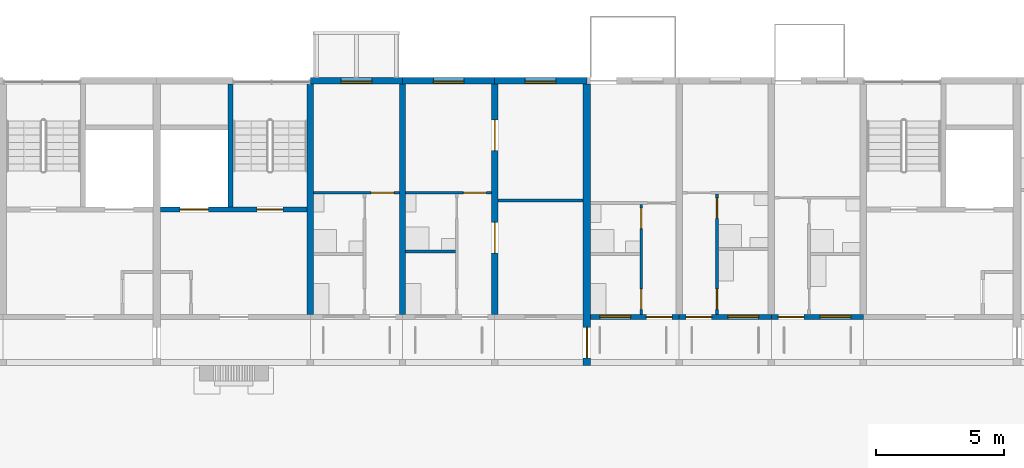
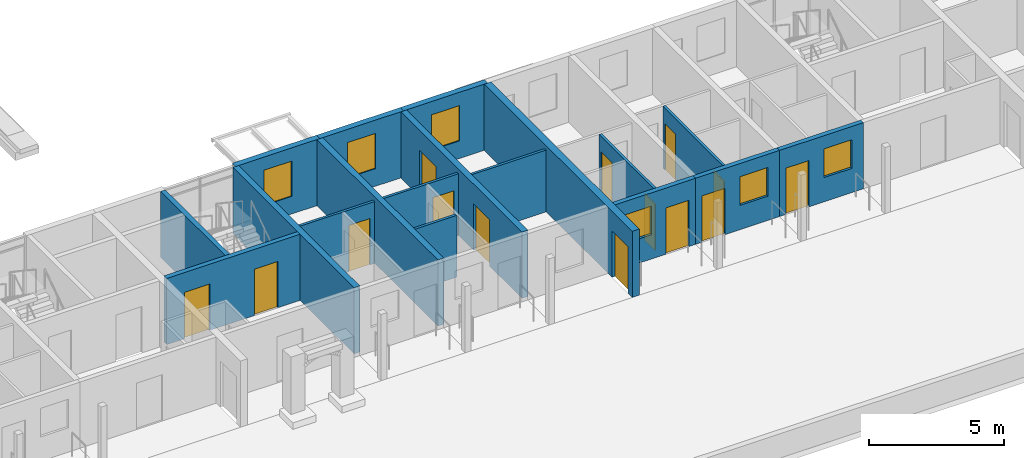
# One storey, part 43 of 115: 18 walls, 14 doors, 6 windows, 20 openings.
"""IFC4 building model written with IfcOpenShell, lengths in metres."""

from ifc_helpers import new_model, si_unit, direction, frame, frame_2d, origin, place, context, subcontext, project, spatial, rectangle, extrude, material, layer, layer_set, type_object, element, fill, save


model = new_model("IFC4")

# Units and contexts
model_context = context("Model", 3, precision=1e-05, world=origin(), true_north=direction((0.0, 1.0)))
body_context = subcontext(model_context, "Body", "Model", "MODEL_VIEW")
ifc_project = project(units=[si_unit("LENGTHUNIT", "METRE"), si_unit("AREAUNIT", "SQUARE_METRE"), si_unit("VOLUMEUNIT", "CUBIC_METRE"), si_unit("PLANEANGLEUNIT", "RADIAN"), si_unit("MASSUNIT", "GRAM", prefix="KILO")], contexts=[model_context])

# Site, building, storey
site_placement = place(None, origin())
site = spatial("IfcSite", under=ifc_project, at=site_placement, CompositionType="ELEMENT")
building_placement = place(site_placement, origin())
building = spatial("IfcBuilding", under=site, at=building_placement, Name="Ridgestep Commons", CompositionType="ELEMENT")
storey_placement = place(building_placement, frame((0.0, 0.0, 6.0)))
storey = spatial("IfcBuildingStorey", under=building, at=storey_placement, Name="L02", CompositionType="ELEMENT", Elevation=6.0)

# Wall
ifc_material_1 = material(Name="Concrete C30/37", Category="concrete")
ifc_layer_1 = layer(ifc_material_1, 0.25)
ifc_layer_set_1 = layer_set([ifc_layer_1], Name="Core cross wall 250")
wall_type_1 = type_object("IfcWallType", Name="Core cross wall 250", PredefinedType="SHEAR", material=ifc_layer_set_1)
wall_1_placement = place(storey_placement, frame((51.60009765625, 13.75, 0.0), z_axis=(0.0, 0.0, 1.0), x_axis=(0.0, 1.0, 0.0)))
element("IfcWall", 1, at=wall_1_placement, inside=storey, type_object=wall_type_1, Name="Cross wall A-02-0516", PredefinedType="SHEAR", context=body_context, shape_type="SweptSolid", body=[
    extrude(rectangle(XDim=9.0, YDim=0.25, at=frame_2d((4.5, 0.0))), origin(), (0.0, 0.0, 1.0), 3.0),
])

# Wall, openings, doors
ifc_material_2 = material(Name="Concrete C30/37", Category="concrete")
ifc_layer_2 = layer(ifc_material_2, 0.199951171875)
ifc_layer_set_2 = layer_set([ifc_layer_2], Name="Core wall 200")
wall_type_2 = type_object("IfcWallType", Name="Core wall 200", PredefinedType="SHEAR", material=ifc_layer_set_2)
wall_2_placement = place(storey_placement, frame((45.75, 17.85009765625, 0.0), z_axis=(0.0, 0.0, 1.0), x_axis=(1.0, 0.0, 0.0)))
wall_2 = element("IfcWall", 2, at=wall_2_placement, inside=storey, type_object=wall_type_2, Name="Core lobby wall A3C L02", PredefinedType="SHEAR", context=body_context, shape_type="SweptSolid", body=[
    extrude(rectangle(XDim=5.72509765625, YDim=0.199951171875, at=frame_2d((2.862548828125, 0.0))), origin(), (0.0, 0.0, 1.0), 3.0),
])
opening_1_placement = place(wall_2_placement, frame((3.77490234375, 0.0, 0.0)))
opening_1 = element("IfcOpeningElement", 3, at=opening_1_placement, cuts=wall_2, Name="Opening A3C/02/2", PredefinedType="OPENING", context=body_context, shape_type="SweptSolid", body=[
    extrude(rectangle(XDim=1.0, YDim=2.10009765625, at=frame_2d((0.5, 1.050048828125))), frame((0.0, 0.10986328125, 0.0), z_axis=(0.0, -1.0, 0.0), x_axis=(1.0, 0.0, 0.0)), (0.0, 0.0, 1.0), 0.219970703125),
])
opening_2_placement = place(wall_2_placement, frame((0.762451171875, 0.0, 0.0)))
opening_2 = element("IfcOpeningElement", 4, at=opening_2_placement, cuts=wall_2, Name="Opening A3C/02/3", PredefinedType="OPENING", context=body_context, shape_type="SweptSolid", body=[
    extrude(rectangle(XDim=1.10009765625, YDim=2.10009765625, at=frame_2d((0.550048828125, 1.050048828125))), frame((0.0, 0.10986328125, 0.0), z_axis=(0.0, -1.0, 0.0), x_axis=(1.0, 0.0, 0.0)), (0.0, 0.0, 1.0), 0.219970703125),
])
ifc_material_3 = material(Name="Stainless steel", Category="steel")
door_type_1 = type_object("IfcDoorType", Name="Lift landing door 1100 x 2100 FD60", OperationType="DOUBLE_DOOR_SLIDING", PredefinedType="DOOR", material=ifc_material_3)
door_1_placement = place(opening_2_placement, origin())
door_1 = element("IfcDoor", 5, at=door_1_placement, inside=storey, type_object=door_type_1, Name="Landing door LD A3C L02", OperationType="DOUBLE_DOOR_SLIDING", OverallHeight=2.10009765625, OverallWidth=1.10009765625, PredefinedType="DOOR", context=body_context, shape_type="SweptSolid", body=[
    extrude(rectangle(XDim=1.10009765625, YDim=2.10009765625, at=frame_2d((0.550048828125, 1.050048828125))), frame((0.0, 0.02490234375, 0.0), z_axis=(0.0, -1.0, 0.0), x_axis=(1.0, 0.0, 0.0)), (0.0, 0.0, 1.0), 0.050048828125),
])
fill(opening_2, door_1)
ifc_material_4 = material(Name="Steel fire door", Category="steel")
door_type_2 = type_object("IfcDoorType", Name="Stair door 1000 x 2100 FD60", OperationType="NOTDEFINED", PredefinedType="DOOR", material=ifc_material_4)
door_2_placement = place(opening_1_placement, origin())
door_2 = element("IfcDoor", 6, at=door_2_placement, inside=storey, type_object=door_type_2, Name="Stair door A3C/02/2", OperationType="SINGLE_SWING_RIGHT", OverallHeight=2.10009765625, OverallWidth=1.0, PredefinedType="DOOR", context=body_context, shape_type="SweptSolid", body=[
    extrude(rectangle(XDim=1.0, YDim=2.10009765625, at=frame_2d((0.5, 1.050048828125))), frame((0.0, 0.02490234375, 0.0), z_axis=(0.0, -1.0, 0.0), x_axis=(1.0, 0.0, 0.0)), (0.0, 0.0, 1.0), 0.050048828125),
])
fill(opening_1, door_2)

# Walls
wall_3_placement = place(storey_placement, frame((48.47509765625, 17.949951171875, 0.0), z_axis=(0.0, 0.0, 1.0), x_axis=(0.0, 1.0, 0.0)))
element("IfcWall", 7, at=wall_3_placement, inside=storey, type_object=wall_type_2, Name="Core stair wall A3C L02", PredefinedType="SHEAR", context=body_context, shape_type="SweptSolid", body=[
    extrude(rectangle(XDim=4.800048828125, YDim=0.199951171875, at=frame_2d((2.39990234375, 0.0))), origin(), (0.0, 0.0, 1.0), 3.0),
])
ifc_material_5 = material(Name="Precast concrete C40/50", Category="concrete")
ifc_layer_3 = layer(ifc_material_5, 0.25)
ifc_layer_set_3 = layer_set([ifc_layer_3], Name="Cross wall 250")
wall_type_3 = type_object("IfcWallType", Name="Cross wall 250", PredefinedType="SHEAR", material=ifc_layer_set_3)
wall_4_placement = place(storey_placement, frame((55.199951171875, 13.75, 0.0), z_axis=(0.0, 0.0, 1.0), x_axis=(0.0, 1.0, 0.0)))
element("IfcWall", 8, at=wall_4_placement, inside=storey, type_object=wall_type_3, Name="Cross wall A-02-0552", PredefinedType="SHEAR", context=body_context, shape_type="SweptSolid", body=[
    extrude(rectangle(XDim=9.0, YDim=0.25, at=frame_2d((4.5, 0.0))), origin(), (0.0, 0.0, 1.0), 3.0),
])

# Wall, openings, doors
wall_5_placement = place(storey_placement, frame((58.800048828125, 13.75, 0.0), z_axis=(0.0, 0.0, 1.0), x_axis=(0.0, 1.0, 0.0)))
wall_5 = element("IfcWall", 9, at=wall_5_placement, inside=storey, type_object=wall_type_3, Name="Cross wall A-02-0588", PredefinedType="SHEAR", context=body_context, shape_type="SweptSolid", body=[
    extrude(rectangle(XDim=9.0, YDim=0.25, at=frame_2d((4.5, 0.0))), origin(), (0.0, 0.0, 1.0), 3.0),
])
opening_3_placement = place(wall_5_placement, frame((2.39990234375, 0.0, 0.0)))
opening_3 = element("IfcOpeningElement", 10, at=opening_3_placement, cuts=wall_5, Name="Opening A3-02a/5", PredefinedType="OPENING", context=body_context, shape_type="SweptSolid", body=[
    extrude(rectangle(XDim=1.199951171875, YDim=2.10009765625, at=frame_2d((0.60009765625, 1.050048828125))), frame((0.0, 0.135009765625, 0.0), z_axis=(0.0, -1.0, 0.0), x_axis=(1.0, 0.0, 0.0)), (0.0, 0.0, 1.0), 0.27001953125),
])
opening_4_placement = place(wall_5_placement, frame((6.39990234375, 0.0, 0.0)))
opening_4 = element("IfcOpeningElement", 11, at=opening_4_placement, cuts=wall_5, Name="Opening A3-02a/6", PredefinedType="OPENING", context=body_context, shape_type="SweptSolid", body=[
    extrude(rectangle(XDim=1.199951171875, YDim=2.10009765625, at=frame_2d((0.60009765625, 1.050048828125))), frame((0.0, 0.135009765625, 0.0), z_axis=(0.0, -1.0, 0.0), x_axis=(1.0, 0.0, 0.0)), (0.0, 0.0, 1.0), 0.27001953125),
])
ifc_material_6 = material(Name="Timber door leaf", Category="wood")
door_type_3 = type_object("IfcDoorType", Name="Double door 1200 x 2100", OperationType="DOUBLE_DOOR_SINGLE_SWING", PredefinedType="DOOR", material=ifc_material_6)
door_3_placement = place(opening_3_placement, origin())
door_3 = element("IfcDoor", 12, at=door_3_placement, inside=storey, type_object=door_type_3, Name="Double door A3-02a/5", OperationType="DOUBLE_DOOR_SINGLE_SWING", OverallHeight=2.10009765625, OverallWidth=1.199951171875, PredefinedType="DOOR", context=body_context, shape_type="SweptSolid", body=[
    extrude(rectangle(XDim=1.199951171875, YDim=2.10009765625, at=frame_2d((0.60009765625, 1.050048828125))), frame((0.0, 0.02490234375, 0.0), z_axis=(0.0, -1.0, 0.0), x_axis=(1.0, 0.0, 0.0)), (0.0, 0.0, 1.0), 0.050048828125),
])
fill(opening_3, door_3)
door_4_placement = place(opening_4_placement, origin())
door_4 = element("IfcDoor", 13, at=door_4_placement, inside=storey, type_object=door_type_3, Name="Double door A3-02a/6", OperationType="DOUBLE_DOOR_SINGLE_SWING", OverallHeight=2.10009765625, OverallWidth=1.199951171875, PredefinedType="DOOR", context=body_context, shape_type="SweptSolid", body=[
    extrude(rectangle(XDim=1.199951171875, YDim=2.10009765625, at=frame_2d((0.60009765625, 1.050048828125))), frame((0.0, 0.02490234375, 0.0), z_axis=(0.0, -1.0, 0.0), x_axis=(1.0, 0.0, 0.0)), (0.0, 0.0, 1.0), 0.050048828125),
])
fill(opening_4, door_4)

# Wall, opening, door
ifc_material_7 = material(Name="Precast concrete C40/50", Category="concrete")
ifc_layer_4 = layer(ifc_material_7, 0.300048828125)
ifc_layer_set_4 = layer_set([ifc_layer_4], Name="Division wall 300")
wall_type_4 = type_object("IfcWallType", Name="Division wall 300", PredefinedType="SHEAR", material=ifc_layer_set_4)
wall_6_placement = place(storey_placement, frame((62.39990234375, 11.75, 0.0), z_axis=(0.0, 0.0, 1.0), x_axis=(0.0, 1.0, 0.0)))
wall_6 = element("IfcWall", 14, at=wall_6_placement, inside=storey, type_object=wall_type_4, Name="Cross wall A-02-0624", PredefinedType="SHEAR", context=body_context, shape_type="SweptSolid", body=[
    extrude(rectangle(XDim=11.0, YDim=0.300048828125, at=frame_2d((5.5, 0.0))), origin(), (0.0, 0.0, 1.0), 3.0),
])
opening_5_placement = place(wall_6_placement, frame((0.300048828125, 0.0, 0.0)))
opening_5 = element("IfcOpeningElement", 15, at=opening_5_placement, cuts=wall_6, Name="Opening A/02/G0624", PredefinedType="OPENING", context=body_context, shape_type="SweptSolid", body=[
    extrude(rectangle(XDim=1.199951171875, YDim=2.10009765625, at=frame_2d((0.60009765625, 1.050048828125))), frame((0.0, 0.159912109375, 0.0), z_axis=(0.0, -1.0, 0.0), x_axis=(1.0, 0.0, 0.0)), (0.0, 0.0, 1.0), 0.320068359375),
])
ifc_material_8 = material(Name="Steel fire door", Category="steel")
door_type_4 = type_object("IfcDoorType", Name="Division fire door 1200 x 2100 EI 240", OperationType="DOUBLE_DOOR_SINGLE_SWING", PredefinedType="DOOR", material=ifc_material_8)
door_5_placement = place(opening_5_placement, origin())
door_5 = element("IfcDoor", 16, at=door_5_placement, inside=storey, type_object=door_type_4, Name="Division fire door A/02/G0624", OperationType="DOUBLE_DOOR_SINGLE_SWING", OverallHeight=2.10009765625, OverallWidth=1.199951171875, PredefinedType="DOOR", context=body_context, shape_type="SweptSolid", body=[
    extrude(rectangle(XDim=1.199951171875, YDim=2.10009765625, at=frame_2d((0.60009765625, 1.050048828125))), frame((0.0, 0.02490234375, 0.0), z_axis=(0.0, -1.0, 0.0), x_axis=(1.0, 0.0, 0.0)), (0.0, 0.0, 1.0), 0.050048828125),
])
fill(opening_5, door_5)

# Wall, opening, window
ifc_material_9 = material(Name="Precast concrete C40/50", Category="concrete")
ifc_layer_5 = layer(ifc_material_9, 0.25)
ifc_layer_set_5 = layer_set([ifc_layer_5], Name="North facade panel 250")
wall_type_5 = type_object("IfcWallType", Name="North facade panel 250", PredefinedType="SOLIDWALL", material=ifc_layer_set_5)
wall_7_placement = place(storey_placement, frame((51.60009765625, 22.875, 0.0), z_axis=(0.0, 0.0, 1.0), x_axis=(1.0, 0.0, 0.0)))
wall_7 = element("IfcWall", 17, at=wall_7_placement, inside=storey, type_object=wall_type_5, Name="North panel A3T3 L02", PredefinedType="SOLIDWALL", context=body_context, shape_type="SweptSolid", body=[
    extrude(rectangle(XDim=3.599853515625, YDim=0.25, at=frame_2d((1.7998046875, 0.0))), origin(), (0.0, 0.0, 1.0), 3.0),
])
opening_6_placement = place(wall_7_placement, frame((1.199951171875, 0.0, 0.800048828125)))
opening_6 = element("IfcOpeningElement", 18, at=opening_6_placement, cuts=wall_7, Name="Opening W11", PredefinedType="OPENING", context=body_context, shape_type="SweptSolid", body=[
    extrude(rectangle(XDim=1.199951171875, YDim=1.60009765625, at=frame_2d((0.60009765625, 0.800048828125))), frame((0.0, 0.135009765625, 0.0), z_axis=(0.0, -1.0, 0.0), x_axis=(1.0, 0.0, 0.0)), (0.0, 0.0, 1.0), 0.27001953125),
])
ifc_material_10 = material(Name="Aluminium 6063-T6 and glass", Category="aluminium")
window_type_1 = type_object("IfcWindowType", Name="Flat window 1200 x 1600", PartitioningType="SINGLE_PANEL", PredefinedType="WINDOW", material=ifc_material_10)
window_1_placement = place(opening_6_placement, origin())
window_1 = element("IfcWindow", 19, at=window_1_placement, inside=storey, type_object=window_type_1, Name="Window A3-02b 2", OverallHeight=1.60009765625, OverallWidth=1.199951171875, PartitioningType="SINGLE_PANEL", PredefinedType="WINDOW", context=body_context, shape_type="SweptSolid", body=[
    extrude(rectangle(XDim=1.199951171875, YDim=1.60009765625, at=frame_2d((0.60009765625, 0.800048828125))), frame((0.0, -0.02490234375, 0.0), z_axis=(0.0, -1.0, 0.0), x_axis=(1.0, 0.0, 0.0)), (0.0, 0.0, 1.0), 0.06005859375),
])
fill(opening_6, window_1)

wall_8_placement = place(storey_placement, frame((55.199951171875, 22.875, 0.0), z_axis=(0.0, 0.0, 1.0), x_axis=(1.0, 0.0, 0.0)))
wall_8 = element("IfcWall", 20, at=wall_8_placement, inside=storey, type_object=wall_type_5, Name="North panel A3T2 L02", PredefinedType="SOLIDWALL", context=body_context, shape_type="SweptSolid", body=[
    extrude(rectangle(XDim=3.60009765625, YDim=0.25, at=frame_2d((1.800048828125, 0.0))), origin(), (0.0, 0.0, 1.0), 3.0),
])
opening_7_placement = place(wall_8_placement, frame((1.199951171875, 0.0, 0.800048828125)))
opening_7 = element("IfcOpeningElement", 21, at=opening_7_placement, cuts=wall_8, Name="Opening W11", PredefinedType="OPENING", context=body_context, shape_type="SweptSolid", body=[
    extrude(rectangle(XDim=1.199951171875, YDim=1.60009765625, at=frame_2d((0.60009765625, 0.800048828125))), frame((0.0, 0.135009765625, 0.0), z_axis=(0.0, -1.0, 0.0), x_axis=(1.0, 0.0, 0.0)), (0.0, 0.0, 1.0), 0.27001953125),
])
window_2_placement = place(opening_7_placement, origin())
window_2 = element("IfcWindow", 22, at=window_2_placement, inside=storey, type_object=window_type_1, Name="Window A3-02a 4", OverallHeight=1.60009765625, OverallWidth=1.199951171875, PartitioningType="SINGLE_PANEL", PredefinedType="WINDOW", context=body_context, shape_type="SweptSolid", body=[
    extrude(rectangle(XDim=1.199951171875, YDim=1.60009765625, at=frame_2d((0.60009765625, 0.800048828125))), frame((0.0, -0.02490234375, 0.0), z_axis=(0.0, -1.0, 0.0), x_axis=(1.0, 0.0, 0.0)), (0.0, 0.0, 1.0), 0.06005859375),
])
fill(opening_7, window_2)

wall_9_placement = place(storey_placement, frame((58.800048828125, 22.875, 0.0), z_axis=(0.0, 0.0, 1.0), x_axis=(1.0, 0.0, 0.0)))
wall_9 = element("IfcWall", 23, at=wall_9_placement, inside=storey, type_object=wall_type_5, Name="North panel A3T1 L02", PredefinedType="SOLIDWALL", context=body_context, shape_type="SweptSolid", body=[
    extrude(rectangle(XDim=3.599853515625, YDim=0.25, at=frame_2d((1.7998046875, 0.0))), origin(), (0.0, 0.0, 1.0), 3.0),
])
opening_8_placement = place(wall_9_placement, frame((1.1875, 0.0, 0.800048828125)))
opening_8 = element("IfcOpeningElement", 24, at=opening_8_placement, cuts=wall_9, Name="Opening W11", PredefinedType="OPENING", context=body_context, shape_type="SweptSolid", body=[
    extrude(rectangle(XDim=1.199951171875, YDim=1.60009765625, at=frame_2d((0.60009765625, 0.800048828125))), frame((0.0, 0.135009765625, 0.0), z_axis=(0.0, -1.0, 0.0), x_axis=(1.0, 0.0, 0.0)), (0.0, 0.0, 1.0), 0.27001953125),
])
window_3_placement = place(opening_8_placement, origin())
window_3 = element("IfcWindow", 25, at=window_3_placement, inside=storey, type_object=window_type_1, Name="Window A3-02a 2", OverallHeight=1.60009765625, OverallWidth=1.199951171875, PartitioningType="SINGLE_PANEL", PredefinedType="WINDOW", context=body_context, shape_type="SweptSolid", body=[
    extrude(rectangle(XDim=1.199951171875, YDim=1.60009765625, at=frame_2d((0.60009765625, 0.800048828125))), frame((0.0, -0.02490234375, 0.0), z_axis=(0.0, -1.0, 0.0), x_axis=(1.0, 0.0, 0.0)), (0.0, 0.0, 1.0), 0.06005859375),
])
fill(opening_8, window_3)

# Wall
ifc_material_11 = material(Name="Common brick 110 mm", Category="masonry")
ifc_layer_6 = layer(ifc_material_11, 0.110107421875)
ifc_layer_set_6 = layer_set([ifc_layer_6], Name="Partition 110")
wall_type_6 = type_object("IfcWallType", Name="Partition 110", PredefinedType="PARTITIONING", material=ifc_layer_set_6)
wall_10_placement = place(storey_placement, frame((55.324951171875, 16.205078125, 0.0), z_axis=(0.0, 0.0, 1.0), x_axis=(1.0, 0.0, 0.0)))
element("IfcWall", 26, at=wall_10_placement, inside=storey, type_object=wall_type_6, Name="Partition A3-02a", PredefinedType="PARTITIONING", context=body_context, shape_type="SweptSolid", body=[
    extrude(rectangle(XDim=1.93994140625, YDim=0.110107421875, at=frame_2d((0.969970703125, 0.0))), origin(), (0.0, 0.0, 1.0), 2.800048828125),
])

# Wall, opening, door
wall_11_placement = place(storey_placement, frame((55.324951171875, 18.5048828125, 0.0), z_axis=(0.0, 0.0, 1.0), x_axis=(1.0, 0.0, 0.0)))
wall_11 = element("IfcWall", 27, at=wall_11_placement, inside=storey, type_object=wall_type_6, Name="Partition A3-02a", PredefinedType="PARTITIONING", context=body_context, shape_type="SweptSolid", body=[
    extrude(rectangle(XDim=3.35009765625, YDim=0.110107421875, at=frame_2d((1.675048828125, 0.0))), origin(), (0.0, 0.0, 1.0), 2.800048828125),
])
opening_9_placement = place(wall_11_placement, frame((2.25, 0.0, 0.0)))
opening_9 = element("IfcOpeningElement", 28, at=opening_9_placement, cuts=wall_11, Name="Opening A3-02a/4", PredefinedType="OPENING", context=body_context, shape_type="SweptSolid", body=[
    extrude(rectangle(XDim=0.89990234375, YDim=2.10009765625, at=frame_2d((0.449951171875, 1.050048828125))), frame((0.0, 0.06494140625, 0.0), z_axis=(0.0, -1.0, 0.0), x_axis=(1.0, 0.0, 0.0)), (0.0, 0.0, 1.0), 0.130126953125),
])
ifc_material_12 = material(Name="Timber door leaf", Category="wood")
door_type_5 = type_object("IfcDoorType", Name="Internal door 900 x 2100", OperationType="NOTDEFINED", PredefinedType="DOOR", material=ifc_material_12)
door_6_placement = place(opening_9_placement, origin())
door_6 = element("IfcDoor", 29, at=door_6_placement, inside=storey, type_object=door_type_5, Name="Internal door A3-02a/4", OperationType="SINGLE_SWING_LEFT", OverallHeight=2.10009765625, OverallWidth=0.89990234375, PredefinedType="DOOR", context=body_context, shape_type="SweptSolid", body=[
    extrude(rectangle(XDim=0.89990234375, YDim=2.10009765625, at=frame_2d((0.449951171875, 1.050048828125))), frame((0.0, 0.02490234375, 0.0), z_axis=(0.0, -1.0, 0.0), x_axis=(1.0, 0.0, 0.0)), (0.0, 0.0, 1.0), 0.050048828125),
])
fill(opening_9, door_6)

# Wall
wall_12_placement = place(storey_placement, frame((58.925048828125, 18.205078125, 0.0), z_axis=(0.0, 0.0, 1.0), x_axis=(1.0, 0.0, 0.0)))
element("IfcWall", 30, at=wall_12_placement, inside=storey, type_object=wall_type_6, Name="Partition A3-02a", PredefinedType="PARTITIONING", context=body_context, shape_type="SweptSolid", body=[
    extrude(rectangle(XDim=3.324951171875, YDim=0.110107421875, at=frame_2d((1.66259765625, 0.0))), origin(), (0.0, 0.0, 1.0), 2.800048828125),
])

# Wall, opening, door
wall_13_placement = place(storey_placement, frame((51.72509765625, 18.5048828125, 0.0), z_axis=(0.0, 0.0, 1.0), x_axis=(1.0, 0.0, 0.0)))
wall_13 = element("IfcWall", 31, at=wall_13_placement, inside=storey, type_object=wall_type_6, Name="Partition A3-02b", PredefinedType="PARTITIONING", context=body_context, shape_type="SweptSolid", body=[
    extrude(rectangle(XDim=3.349853515625, YDim=0.110107421875, at=frame_2d((1.6748046875, 0.0))), origin(), (0.0, 0.0, 1.0), 2.800048828125),
])
opening_10_placement = place(wall_13_placement, frame((2.25, 0.0, 0.0)))
opening_10 = element("IfcOpeningElement", 32, at=opening_10_placement, cuts=wall_13, Name="Opening A3-02b/4", PredefinedType="OPENING", context=body_context, shape_type="SweptSolid", body=[
    extrude(rectangle(XDim=0.89990234375, YDim=2.10009765625, at=frame_2d((0.449951171875, 1.050048828125))), frame((0.0, 0.06494140625, 0.0), z_axis=(0.0, -1.0, 0.0), x_axis=(1.0, 0.0, 0.0)), (0.0, 0.0, 1.0), 0.130126953125),
])
door_7_placement = place(opening_10_placement, origin())
door_7 = element("IfcDoor", 33, at=door_7_placement, inside=storey, type_object=door_type_5, Name="Internal door A3-02b/4", OperationType="SINGLE_SWING_LEFT", OverallHeight=2.10009765625, OverallWidth=0.89990234375, PredefinedType="DOOR", context=body_context, shape_type="SweptSolid", body=[
    extrude(rectangle(XDim=0.89990234375, YDim=2.10009765625, at=frame_2d((0.449951171875, 1.050048828125))), frame((0.0, 0.02490234375, 0.0), z_axis=(0.0, -1.0, 0.0), x_axis=(1.0, 0.0, 0.0)), (0.0, 0.0, 1.0), 0.050048828125),
])
fill(opening_10, door_7)

# Wall, openings, doors
wall_14_placement = place(storey_placement, frame((64.52001953125, 13.75, 0.0), z_axis=(0.0, 0.0, 1.0), x_axis=(0.0, 1.0, 0.0)))
wall_14 = element("IfcWall", 34, at=wall_14_placement, inside=storey, type_object=wall_type_6, Name="Partition A4-02a", PredefinedType="PARTITIONING", context=body_context, shape_type="SweptSolid", body=[
    extrude(rectangle(XDim=4.300048828125, YDim=0.110107421875, at=frame_2d((2.14990234375, 0.0))), origin(), (0.0, 0.0, 1.0), 2.800048828125),
])
opening_11_placement = place(wall_14_placement, frame((0.199951171875, 0.0, 0.0)))
opening_11 = element("IfcOpeningElement", 35, at=opening_11_placement, cuts=wall_14, Name="Opening A4-02a/2", PredefinedType="OPENING", context=body_context, shape_type="SweptSolid", body=[
    extrude(rectangle(XDim=0.800048828125, YDim=2.10009765625, at=frame_2d((0.39990234375, 1.050048828125))), frame((0.0, 0.06494140625, 0.0), z_axis=(0.0, -1.0, 0.0), x_axis=(1.0, 0.0, 0.0)), (0.0, 0.0, 1.0), 0.130126953125),
])
opening_12_placement = place(wall_14_placement, frame((3.35009765625, 0.0, 0.0)))
opening_12 = element("IfcOpeningElement", 36, at=opening_12_placement, cuts=wall_14, Name="Opening A4-02a/3", PredefinedType="OPENING", context=body_context, shape_type="SweptSolid", body=[
    extrude(rectangle(XDim=0.800048828125, YDim=2.10009765625, at=frame_2d((0.39990234375, 1.050048828125))), frame((0.0, 0.06494140625, 0.0), z_axis=(0.0, -1.0, 0.0), x_axis=(1.0, 0.0, 0.0)), (0.0, 0.0, 1.0), 0.130126953125),
])
ifc_material_13 = material(Name="Timber door leaf", Category="wood")
door_type_6 = type_object("IfcDoorType", Name="Internal door 800 x 2100", OperationType="NOTDEFINED", PredefinedType="DOOR", material=ifc_material_13)
door_8_placement = place(opening_11_placement, origin())
door_8 = element("IfcDoor", 37, at=door_8_placement, inside=storey, type_object=door_type_6, Name="Internal door A4-02a/2", OperationType="SINGLE_SWING_LEFT", OverallHeight=2.10009765625, OverallWidth=0.800048828125, PredefinedType="DOOR", context=body_context, shape_type="SweptSolid", body=[
    extrude(rectangle(XDim=0.800048828125, YDim=2.10009765625, at=frame_2d((0.39990234375, 1.050048828125))), frame((0.0, 0.02490234375, 0.0), z_axis=(0.0, -1.0, 0.0), x_axis=(1.0, 0.0, 0.0)), (0.0, 0.0, 1.0), 0.050048828125),
])
fill(opening_11, door_8)
door_9_placement = place(opening_12_placement, origin())
door_9 = element("IfcDoor", 38, at=door_9_placement, inside=storey, type_object=door_type_6, Name="Internal door A4-02a/3", OperationType="SINGLE_SWING_RIGHT", OverallHeight=2.10009765625, OverallWidth=0.800048828125, PredefinedType="DOOR", context=body_context, shape_type="SweptSolid", body=[
    extrude(rectangle(XDim=0.800048828125, YDim=2.10009765625, at=frame_2d((0.39990234375, 1.050048828125))), frame((0.0, 0.02490234375, 0.0), z_axis=(0.0, -1.0, 0.0), x_axis=(1.0, 0.0, 0.0)), (0.0, 0.0, 1.0), 0.050048828125),
])
fill(opening_12, door_9)

wall_15_placement = place(storey_placement, frame((67.47998046875, 13.75, 0.0), z_axis=(0.0, 0.0, 1.0), x_axis=(0.0, 1.0, 0.0)))
wall_15 = element("IfcWall", 39, at=wall_15_placement, inside=storey, type_object=wall_type_6, Name="Partition A4-02b", PredefinedType="PARTITIONING", context=body_context, shape_type="SweptSolid", body=[
    extrude(rectangle(XDim=4.699951171875, YDim=0.110107421875, at=frame_2d((2.35009765625, 0.0))), origin(), (0.0, 0.0, 1.0), 2.800048828125),
])
opening_13_placement = place(wall_15_placement, frame((0.199951171875, 0.0, 0.0)))
opening_13 = element("IfcOpeningElement", 40, at=opening_13_placement, cuts=wall_15, Name="Opening A4-02b/2", PredefinedType="OPENING", context=body_context, shape_type="SweptSolid", body=[
    extrude(rectangle(XDim=0.800048828125, YDim=2.10009765625, at=frame_2d((0.39990234375, 1.050048828125))), frame((0.0, 0.06494140625, 0.0), z_axis=(0.0, -1.0, 0.0), x_axis=(1.0, 0.0, 0.0)), (0.0, 0.0, 1.0), 0.130126953125),
])
opening_14_placement = place(wall_15_placement, frame((3.75, 0.0, 0.0)))
opening_14 = element("IfcOpeningElement", 41, at=opening_14_placement, cuts=wall_15, Name="Opening A4-02b/3", PredefinedType="OPENING", context=body_context, shape_type="SweptSolid", body=[
    extrude(rectangle(XDim=0.800048828125, YDim=2.10009765625, at=frame_2d((0.39990234375, 1.050048828125))), frame((0.0, 0.06494140625, 0.0), z_axis=(0.0, -1.0, 0.0), x_axis=(1.0, 0.0, 0.0)), (0.0, 0.0, 1.0), 0.130126953125),
])
door_10_placement = place(opening_13_placement, origin())
door_10 = element("IfcDoor", 42, at=door_10_placement, inside=storey, type_object=door_type_6, Name="Internal door A4-02b/2", OperationType="SINGLE_SWING_RIGHT", OverallHeight=2.10009765625, OverallWidth=0.800048828125, PredefinedType="DOOR", context=body_context, shape_type="SweptSolid", body=[
    extrude(rectangle(XDim=0.800048828125, YDim=2.10009765625, at=frame_2d((0.39990234375, 1.050048828125))), frame((0.0, 0.02490234375, 0.0), z_axis=(0.0, -1.0, 0.0), x_axis=(1.0, 0.0, 0.0)), (0.0, 0.0, 1.0), 0.050048828125),
])
fill(opening_13, door_10)
door_11_placement = place(opening_14_placement, origin())
door_11 = element("IfcDoor", 43, at=door_11_placement, inside=storey, type_object=door_type_6, Name="Internal door A4-02b/3", OperationType="SINGLE_SWING_LEFT", OverallHeight=2.10009765625, OverallWidth=0.800048828125, PredefinedType="DOOR", context=body_context, shape_type="SweptSolid", body=[
    extrude(rectangle(XDim=0.800048828125, YDim=2.10009765625, at=frame_2d((0.39990234375, 1.050048828125))), frame((0.0, 0.02490234375, 0.0), z_axis=(0.0, -1.0, 0.0), x_axis=(1.0, 0.0, 0.0)), (0.0, 0.0, 1.0), 0.050048828125),
])
fill(opening_14, door_11)

# Wall, openings, door, window
ifc_material_14 = material(Name="Precast concrete C40/50", Category="concrete")
ifc_layer_7 = layer(ifc_material_14, 0.199951171875)
ifc_layer_set_7 = layer_set([ifc_layer_7], Name="South facade panel 200")
wall_type_7 = type_object("IfcWallType", Name="South facade panel 200", PredefinedType="SOLIDWALL", material=ifc_layer_set_7)
wall_16_placement = place(storey_placement, frame((62.550048828125, 13.64990234375, 0.0), z_axis=(0.0, 0.0, 1.0), x_axis=(1.0, 0.0, 0.0)))
wall_16 = element("IfcWall", 44, at=wall_16_placement, inside=storey, type_object=wall_type_7, Name="South panel A4T1 L02", PredefinedType="SOLIDWALL", context=body_context, shape_type="SweptSolid", body=[
    extrude(rectangle(XDim=3.449951171875, YDim=0.199951171875, at=frame_2d((1.72509765625, 0.0))), origin(), (0.0, 0.0, 1.0), 3.0),
])
opening_15_placement = place(wall_16_placement, frame((0.357421875, 0.0, 1.10009765625)))
opening_15 = element("IfcOpeningElement", 45, at=opening_15_placement, cuts=wall_16, Name="Opening W08", PredefinedType="OPENING", context=body_context, shape_type="SweptSolid", body=[
    extrude(rectangle(XDim=1.199951171875, YDim=1.300048828125, at=frame_2d((0.60009765625, 0.64990234375))), frame((0.0, 0.10986328125, 0.0), z_axis=(0.0, -1.0, 0.0), x_axis=(1.0, 0.0, 0.0)), (0.0, 0.0, 1.0), 0.219970703125),
])
opening_16_placement = place(wall_16_placement, frame((2.175048828125, 0.0, 0.0)))
opening_16 = element("IfcOpeningElement", 46, at=opening_16_placement, cuts=wall_16, Name="Opening A4-02a/1", PredefinedType="OPENING", context=body_context, shape_type="SweptSolid", body=[
    extrude(rectangle(XDim=1.0, YDim=2.10009765625, at=frame_2d((0.5, 1.050048828125))), frame((0.0, 0.10986328125, 0.0), z_axis=(0.0, -1.0, 0.0), x_axis=(1.0, 0.0, 0.0)), (0.0, 0.0, 1.0), 0.219970703125),
])
ifc_material_15 = material(Name="Timber door leaf", Category="wood")
door_type_7 = type_object("IfcDoorType", Name="Flat entrance door 1000 x 2100 FD30S", OperationType="NOTDEFINED", PredefinedType="DOOR", material=ifc_material_15)
door_12_placement = place(opening_16_placement, origin())
door_12 = element("IfcDoor", 47, at=door_12_placement, inside=storey, type_object=door_type_7, Name="Flat entrance door A4-02a/1", OperationType="SINGLE_SWING_RIGHT", OverallHeight=2.10009765625, OverallWidth=1.0, PredefinedType="DOOR", context=body_context, shape_type="SweptSolid", body=[
    extrude(rectangle(XDim=1.0, YDim=2.10009765625, at=frame_2d((0.5, 1.050048828125))), frame((0.0, 0.02490234375, 0.0), z_axis=(0.0, -1.0, 0.0), x_axis=(1.0, 0.0, 0.0)), (0.0, 0.0, 1.0), 0.050048828125),
])
fill(opening_16, door_12)
ifc_material_16 = material(Name="Aluminium 6063-T6 and glass", Category="aluminium")
window_type_2 = type_object("IfcWindowType", Name="Flat window 1200 x 1300", PartitioningType="SINGLE_PANEL", PredefinedType="WINDOW", material=ifc_material_16)
window_4_placement = place(opening_15_placement, origin())
window_4 = element("IfcWindow", 48, at=window_4_placement, inside=storey, type_object=window_type_2, Name="Window A4-02a 1", OverallHeight=1.300048828125, OverallWidth=1.199951171875, PartitioningType="SINGLE_PANEL", PredefinedType="WINDOW", context=body_context, shape_type="SweptSolid", body=[
    extrude(rectangle(XDim=1.199951171875, YDim=1.300048828125, at=frame_2d((0.60009765625, 0.64990234375))), frame((0.0, 0.06005859375, 0.0), z_axis=(0.0, -1.0, 0.0), x_axis=(1.0, 0.0, 0.0)), (0.0, 0.0, 1.0), 0.06005859375),
])
fill(opening_15, window_4)

wall_17_placement = place(storey_placement, frame((66.0, 13.64990234375, 0.0), z_axis=(0.0, 0.0, 1.0), x_axis=(1.0, 0.0, 0.0)))
wall_17 = element("IfcWall", 49, at=wall_17_placement, inside=storey, type_object=wall_type_7, Name="South panel A4T2 L02", PredefinedType="SOLIDWALL", context=body_context, shape_type="SweptSolid", body=[
    extrude(rectangle(XDim=3.60009765625, YDim=0.199951171875, at=frame_2d((1.800048828125, 0.0))), origin(), (0.0, 0.0, 1.0), 3.0),
])
opening_17_placement = place(wall_17_placement, frame((1.905029296875, 0.0, 1.10009765625)))
opening_17 = element("IfcOpeningElement", 50, at=opening_17_placement, cuts=wall_17, Name="Opening W08", PredefinedType="OPENING", context=body_context, shape_type="SweptSolid", body=[
    extrude(rectangle(XDim=1.199951171875, YDim=1.300048828125, at=frame_2d((0.60009765625, 0.64990234375))), frame((0.0, 0.10986328125, 0.0), z_axis=(0.0, -1.0, 0.0), x_axis=(1.0, 0.0, 0.0)), (0.0, 0.0, 1.0), 0.219970703125),
])
opening_18_placement = place(wall_17_placement, frame((0.27490234375, 0.0, 0.0)))
opening_18 = element("IfcOpeningElement", 51, at=opening_18_placement, cuts=wall_17, Name="Opening A4-02b/1", PredefinedType="OPENING", context=body_context, shape_type="SweptSolid", body=[
    extrude(rectangle(XDim=1.0, YDim=2.10009765625, at=frame_2d((0.5, 1.050048828125))), frame((0.0, 0.10986328125, 0.0), z_axis=(0.0, -1.0, 0.0), x_axis=(1.0, 0.0, 0.0)), (0.0, 0.0, 1.0), 0.219970703125),
])
door_13_placement = place(opening_18_placement, origin())
door_13 = element("IfcDoor", 52, at=door_13_placement, inside=storey, type_object=door_type_7, Name="Flat entrance door A4-02b/1", OperationType="SINGLE_SWING_LEFT", OverallHeight=2.10009765625, OverallWidth=1.0, PredefinedType="DOOR", context=body_context, shape_type="SweptSolid", body=[
    extrude(rectangle(XDim=1.0, YDim=2.10009765625, at=frame_2d((0.5, 1.050048828125))), frame((0.0, 0.02490234375, 0.0), z_axis=(0.0, -1.0, 0.0), x_axis=(1.0, 0.0, 0.0)), (0.0, 0.0, 1.0), 0.050048828125),
])
fill(opening_18, door_13)
window_5_placement = place(opening_17_placement, origin())
window_5 = element("IfcWindow", 53, at=window_5_placement, inside=storey, type_object=window_type_2, Name="Window A4-02b 1", OverallHeight=1.300048828125, OverallWidth=1.199951171875, PartitioningType="SINGLE_PANEL", PredefinedType="WINDOW", context=body_context, shape_type="SweptSolid", body=[
    extrude(rectangle(XDim=1.199951171875, YDim=1.300048828125, at=frame_2d((0.60009765625, 0.64990234375))), frame((0.0, 0.06005859375, 0.0), z_axis=(0.0, -1.0, 0.0), x_axis=(1.0, 0.0, 0.0)), (0.0, 0.0, 1.0), 0.06005859375),
])
fill(opening_17, window_5)

wall_18_placement = place(storey_placement, frame((69.60009765625, 13.64990234375, 0.0), z_axis=(0.0, 0.0, 1.0), x_axis=(1.0, 0.0, 0.0)))
wall_18 = element("IfcWall", 54, at=wall_18_placement, inside=storey, type_object=wall_type_7, Name="South panel A4T3 L02", PredefinedType="SOLIDWALL", context=body_context, shape_type="SweptSolid", body=[
    extrude(rectangle(XDim=3.599853515625, YDim=0.199951171875, at=frame_2d((1.7998046875, 0.0))), origin(), (0.0, 0.0, 1.0), 3.0),
])
opening_19_placement = place(wall_18_placement, frame((1.905029296875, 0.0, 1.10009765625)))
opening_19 = element("IfcOpeningElement", 55, at=opening_19_placement, cuts=wall_18, Name="Opening W08", PredefinedType="OPENING", context=body_context, shape_type="SweptSolid", body=[
    extrude(rectangle(XDim=1.199951171875, YDim=1.300048828125, at=frame_2d((0.60009765625, 0.64990234375))), frame((0.0, 0.10986328125, 0.0), z_axis=(0.0, -1.0, 0.0), x_axis=(1.0, 0.0, 0.0)), (0.0, 0.0, 1.0), 0.219970703125),
])
opening_20_placement = place(wall_18_placement, frame((0.27490234375, 0.0, 0.0)))
opening_20 = element("IfcOpeningElement", 56, at=opening_20_placement, cuts=wall_18, Name="Opening A4-02c/1", PredefinedType="OPENING", context=body_context, shape_type="SweptSolid", body=[
    extrude(rectangle(XDim=1.0, YDim=2.10009765625, at=frame_2d((0.5, 1.050048828125))), frame((0.0, 0.10986328125, 0.0), z_axis=(0.0, -1.0, 0.0), x_axis=(1.0, 0.0, 0.0)), (0.0, 0.0, 1.0), 0.219970703125),
])
door_14_placement = place(opening_20_placement, origin())
door_14 = element("IfcDoor", 57, at=door_14_placement, inside=storey, type_object=door_type_7, Name="Flat entrance door A4-02c/1", OperationType="SINGLE_SWING_LEFT", OverallHeight=2.10009765625, OverallWidth=1.0, PredefinedType="DOOR", context=body_context, shape_type="SweptSolid", body=[
    extrude(rectangle(XDim=1.0, YDim=2.10009765625, at=frame_2d((0.5, 1.050048828125))), frame((0.0, 0.02490234375, 0.0), z_axis=(0.0, -1.0, 0.0), x_axis=(1.0, 0.0, 0.0)), (0.0, 0.0, 1.0), 0.050048828125),
])
fill(opening_20, door_14)
window_6_placement = place(opening_19_placement, origin())
window_6 = element("IfcWindow", 58, at=window_6_placement, inside=storey, type_object=window_type_2, Name="Window A4-02c 1", OverallHeight=1.300048828125, OverallWidth=1.199951171875, PartitioningType="SINGLE_PANEL", PredefinedType="WINDOW", context=body_context, shape_type="SweptSolid", body=[
    extrude(rectangle(XDim=1.199951171875, YDim=1.300048828125, at=frame_2d((0.60009765625, 0.64990234375))), frame((0.0, 0.06005859375, 0.0), z_axis=(0.0, -1.0, 0.0), x_axis=(1.0, 0.0, 0.0)), (0.0, 0.0, 1.0), 0.06005859375),
])
fill(opening_19, window_6)

save(model, "model.ifc")
